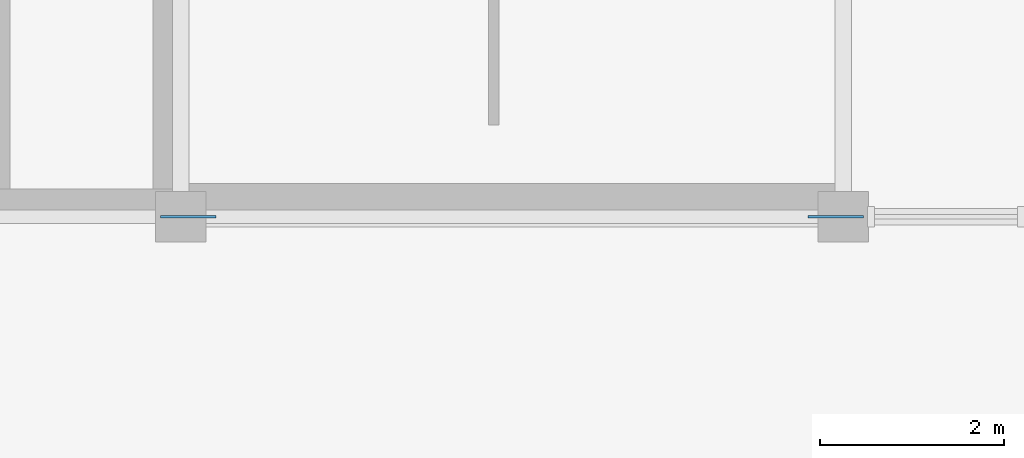
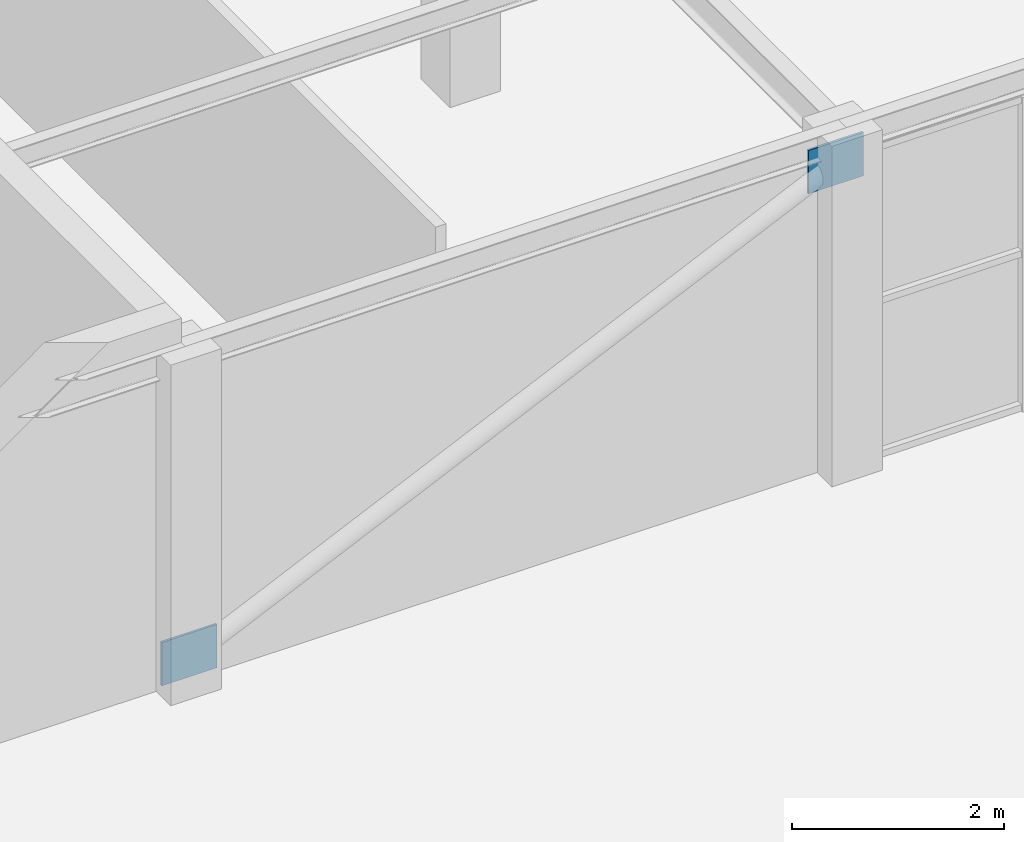
# One storey, part 55 of 64: 2 plates.
"""IFC4 building model written with IfcOpenShell, lengths in metres."""

from ifc_helpers import new_model, si_unit, direction, frame, origin, origin_2d, place, context, subcontext, project, spatial, rectangle, extrude, material, layer, layer_set, type_object, element, save


model = new_model("IFC4")

# Units and contexts
model_context = context("Model", 3, precision=1e-05, world=origin(), true_north=direction((0.0, 1.0)))
body_context = subcontext(model_context, "Body", "Model", "MODEL_VIEW")
ifc_project = project(units=[si_unit("LENGTHUNIT", "METRE"), si_unit("AREAUNIT", "SQUARE_METRE"), si_unit("VOLUMEUNIT", "CUBIC_METRE"), si_unit("PLANEANGLEUNIT", "RADIAN"), si_unit("MASSUNIT", "GRAM", prefix="KILO")], contexts=[model_context])

# Site, building, storey
site_placement = place(None, origin())
site = spatial("IfcSite", under=ifc_project, at=site_placement, CompositionType="ELEMENT")
building_placement = place(site_placement, origin())
building = spatial("IfcBuilding", under=site, at=building_placement, Name="Leyfeld Transit Interchange", CompositionType="ELEMENT")
storey_placement = place(building_placement, frame((0.0, 0.0, 9.60009765625)))
storey = spatial("IfcBuildingStorey", under=building, at=storey_placement, Name="L02", CompositionType="ELEMENT", Elevation=9.60009765625)

# Plates
ifc_material = material(Name="Steel S355J2", Category="steel")
ifc_layer = layer(ifc_material, 0.02490234375, Name="Steel S355J2")
ifc_layer_set = layer_set([ifc_layer], Name="Steel S355J2")
plate_type = type_object("IfcPlateType", Name="PLT-GUS-25", PredefinedType="SHEET", material=ifc_layer_set)
for number, where, z_axis, x_axis, name in (
    (1, (151.280029296875, 57.60009765625, 0.0498046875), (0.0, 0.0, 1.0), (1.0, 0.0, 0.0), "Bracing Lower Gusset 009"),
    (2, (158.320068359375, 57.60009765625, 3.25), (0.0, 0.0, 1.0), (1.0, 0.0, 0.0), "Bracing Upper Gusset 009"),
):
    element("IfcPlate", number, at=place(storey_placement, frame(where, z_axis=z_axis, x_axis=x_axis)), inside=storey, type_object=plate_type, Name=name, PredefinedType="SHEET", context=body_context, shape_type="SweptSolid", body=[
        extrude(rectangle(XDim=0.60009765625, YDim=0.02490234375, at=origin_2d()), origin(), (0.0, 0.0, 1.0), 0.5),
    ])

save(model, "model.ifc")
